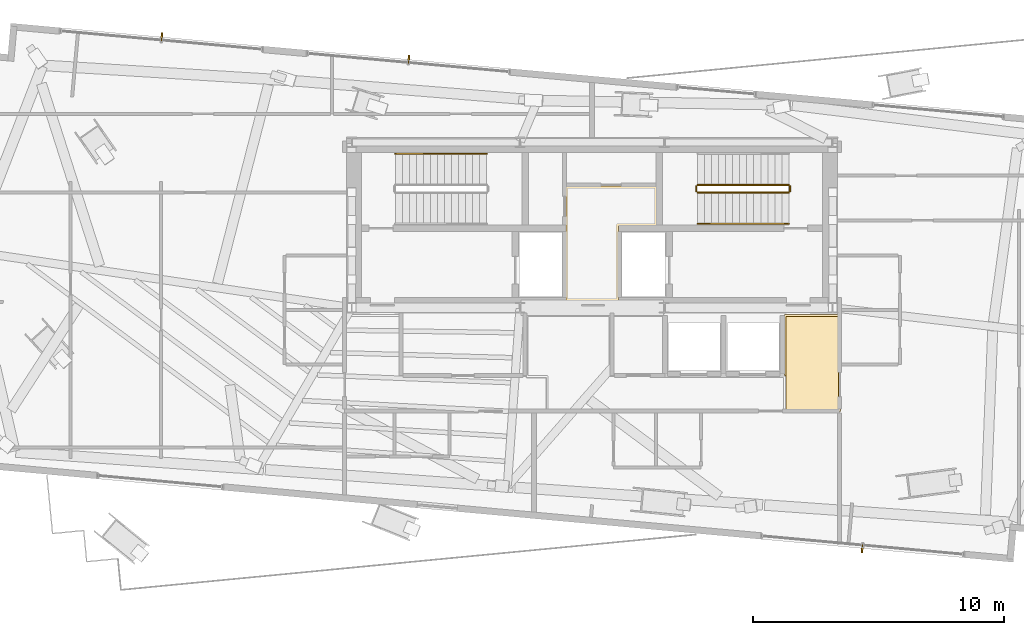
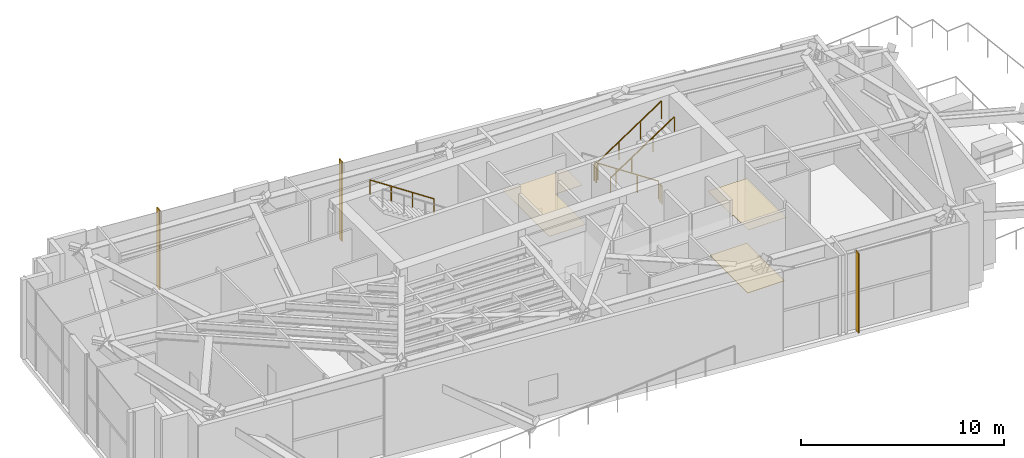
# One storey, part 18 of 20: 6 railings, 3 coverings, 3 shading devices.
"""IFC4 building model written with IfcOpenShell, lengths in metres."""

from ifc_helpers import new_model, si_unit, direction, frame, origin, origin_2d, place, context, subcontext, project, spatial, polyline, rectangle, outline, extrude, source, transform, mapped, material, layer, layer_set, type_object, type_shapes, element, save


model = new_model("IFC4")

# Units and contexts
model_context = context("Model", 3, precision=1e-05, world=origin(), true_north=direction((0.0, 1.0)))
body_context = subcontext(model_context, "Body", "Model", "MODEL_VIEW")
ifc_project = project(units=[si_unit("LENGTHUNIT", "METRE"), si_unit("AREAUNIT", "SQUARE_METRE"), si_unit("VOLUMEUNIT", "CUBIC_METRE"), si_unit("PLANEANGLEUNIT", "RADIAN"), si_unit("MASSUNIT", "GRAM", prefix="KILO")], contexts=[model_context])

# Site, building, storey
site_placement = place(None, origin())
site = spatial("IfcSite", under=ifc_project, at=site_placement, CompositionType="ELEMENT")
building_placement = place(site_placement, origin())
building = spatial("IfcBuilding", under=site, at=building_placement, Name="Astriad Promenade Condominiums", CompositionType="ELEMENT")
storey_placement = place(building_placement, frame((0.0, 0.0, 211.39990234375)))
storey = spatial("IfcBuildingStorey", under=building, at=storey_placement, Name="L61", CompositionType="ELEMENT", Elevation=211.39990234375)

# Coverings
ifc_material_1 = material(Name="Mineral-Fibre Acoustic Ceiling Tile")
ifc_layer_1 = layer(ifc_material_1, 0.02490234375)
ifc_layer_set_1 = layer_set([ifc_layer_1], Name="Mineral-Fibre Acoustic Ceiling Tile")
covering_type_1 = type_object("IfcCoveringType", Name="COV-CEIL-ACOUSTIC-25", PredefinedType="CEILING", material=ifc_layer_set_1)
covering_1_placement = place(storey_placement, frame((0.0, 0.0, 3.835205078125)))
element("IfcCovering", 1, at=covering_1_placement, inside=storey, type_object=covering_type_1, Name="CEIL-L61-CSL", PredefinedType="CEILING", context=body_context, shape_type="SweptSolid", body=[
    extrude(outline(polyline([(37.050048828125, 17.699951171875), (37.0498046875, 17.697021484375), (37.04931640625, 17.694091796875), (37.048583984375, 17.69140625), (37.047607421875, 17.6884765625), (37.04638671875, 17.685791015625), (37.044921875, 17.683349609375), (37.043212890625, 17.680908203125), (37.041259765625, 17.6787109375), (37.0390625, 17.6767578125), (37.03662109375, 17.675048828125), (37.0341796875, 17.673583984375), (37.031494140625, 17.67236328125), (37.02880859375, 17.67138671875), (37.02587890625, 17.670654296875), (37.02294921875, 17.670166015625), (37.02001953125, 17.669921875), (34.97998046875, 17.669921875), (34.97705078125, 17.670166015625), (34.97412109375, 17.670654296875), (34.97119140625, 17.67138671875), (34.968505859375, 17.67236328125), (34.9658203125, 17.673583984375), (34.96337890625, 17.675048828125), (34.9609375, 17.6767578125), (34.958740234375, 17.6787109375), (34.956787109375, 17.680908203125), (34.955078125, 17.683349609375), (34.95361328125, 17.685791015625), (34.952392578125, 17.6884765625), (34.951416015625, 17.69140625), (34.95068359375, 17.694091796875), (34.9501953125, 17.697021484375), (34.949951171875, 17.699951171875), (34.949951171875, 22.219970703125), (34.9501953125, 22.222900390625), (34.95068359375, 22.225830078125), (34.951416015625, 22.228759765625), (34.952392578125, 22.2314453125), (34.95361328125, 22.234130859375), (34.955078125, 22.23681640625), (34.956787109375, 22.239013671875), (34.958740234375, 22.2412109375), (34.9609375, 22.2431640625), (34.96337890625, 22.244873046875), (34.9658203125, 22.24658203125), (34.968505859375, 22.247802734375), (34.97119140625, 22.248779296875), (34.97412109375, 22.24951171875), (34.97705078125, 22.25), (34.97998046875, 22.25), (38.5400390625, 22.25), (38.54296875, 22.25), (38.5458984375, 22.24951171875), (38.548583984375, 22.248779296875), (38.551513671875, 22.247802734375), (38.55419921875, 22.24658203125), (38.556640625, 22.244873046875), (38.55908203125, 22.2431640625), (38.561279296875, 22.2412109375), (38.563232421875, 22.239013671875), (38.56494140625, 22.23681640625), (38.56640625, 22.234130859375), (38.567626953125, 22.2314453125), (38.568603515625, 22.228759765625), (38.5693359375, 22.225830078125), (38.56982421875, 22.222900390625), (38.570068359375, 22.219970703125), (38.570068359375, 20.699951171875), (38.56982421875, 20.697021484375), (38.5693359375, 20.694091796875), (38.568603515625, 20.69140625), (38.567626953125, 20.6884765625), (38.56640625, 20.685791015625), (38.56494140625, 20.683349609375), (38.563232421875, 20.680908203125), (38.561279296875, 20.6787109375), (38.55908203125, 20.6767578125), (38.556640625, 20.675048828125), (38.55419921875, 20.673583984375), (38.551513671875, 20.67236328125), (38.548583984375, 20.67138671875), (38.5458984375, 20.670654296875), (38.54296875, 20.670166015625), (38.5400390625, 20.669921875), (37.050048828125, 20.669921875), (37.050048828125, 17.699951171875)])), origin(), (0.0, 0.0, 1.0), 0.02490234375),
])
covering_2_placement = place(storey_placement, frame((0.0, 0.0, 3.835205078125)))
element("IfcCovering", 2, at=covering_2_placement, inside=storey, type_object=covering_type_1, Name="CEIL-L61-COR-1", PredefinedType="CEILING", context=body_context, shape_type="SweptSolid", body=[
    extrude(outline(polyline([(43.669921875, 17.10009765625), (43.670166015625, 17.102783203125), (43.670654296875, 17.10595703125), (43.67138671875, 17.108642578125), (43.67236328125, 17.111572265625), (43.673583984375, 17.114013671875), (43.675048828125, 17.11669921875), (43.6767578125, 17.118896484375), (43.6787109375, 17.12109375), (43.680908203125, 17.123291015625), (43.683349609375, 17.125), (43.685791015625, 17.12646484375), (43.6884765625, 17.127685546875), (43.69140625, 17.128662109375), (43.694091796875, 17.12939453125), (43.697021484375, 17.1298828125), (43.699951171875, 17.1298828125), (45.330322265625, 17.1298828125), (45.330322265625, 17.122314453125), (45.86962890625, 17.122314453125), (45.86962890625, 17.1298828125), (45.8798828125, 17.1298828125), (45.8828125, 17.1298828125), (45.885986328125, 17.12939453125), (45.888671875, 17.128662109375), (45.8916015625, 17.127685546875), (45.89404296875, 17.12646484375), (45.896728515625, 17.125), (45.89892578125, 17.123291015625), (45.901123046875, 17.12109375), (45.9033203125, 17.118896484375), (45.90478515625, 17.11669921875), (45.906494140625, 17.114013671875), (45.90771484375, 17.111572265625), (45.90869140625, 17.108642578125), (45.909423828125, 17.10595703125), (45.909912109375, 17.102783203125), (45.909912109375, 17.10009765625), (45.909912109375, 13.280029296875), (45.909912109375, 13.277099609375), (45.909423828125, 13.274169921875), (45.90869140625, 13.271240234375), (45.90771484375, 13.2685546875), (45.906494140625, 13.265869140625), (45.90478515625, 13.26318359375), (45.9033203125, 13.260986328125), (45.901123046875, 13.2587890625), (45.89892578125, 13.2568359375), (45.896728515625, 13.255126953125), (45.89404296875, 13.25341796875), (45.8916015625, 13.252197265625), (45.888671875, 13.251220703125), (45.885986328125, 13.25048828125), (45.8828125, 13.25), (45.8798828125, 13.25), (43.719970703125, 13.25), (43.720947265625, 13.25146484375), (43.72216796875, 13.253173828125), (43.7236328125, 13.255615234375), (43.724609375, 13.25732421875), (43.725830078125, 13.260009765625), (43.7265625, 13.26171875), (43.7275390625, 13.2646484375), (43.72802734375, 13.266357421875), (43.728759765625, 13.269287109375), (43.729248046875, 13.271240234375), (43.7294921875, 13.274169921875), (43.729736328125, 13.276123046875), (43.72998046875, 13.279052734375), (43.72998046875, 13.280029296875), (43.72998046875, 14.64990234375), (43.72998046875, 14.65087890625), (43.729736328125, 14.65380859375), (43.7294921875, 14.656005859375), (43.729248046875, 14.65869140625), (43.728759765625, 14.66064453125), (43.72802734375, 14.66357421875), (43.7275390625, 14.665283203125), (43.7265625, 14.668212890625), (43.725830078125, 14.669921875), (43.724609375, 14.672607421875), (43.7236328125, 14.67431640625), (43.72216796875, 14.677001953125), (43.720947265625, 14.6787109375), (43.71923828125, 14.680908203125), (43.718017578125, 14.6826171875), (43.716064453125, 14.6845703125), (43.714599609375, 14.68603515625), (43.71240234375, 14.68798828125), (43.7109375, 14.689208984375), (43.70849609375, 14.69091796875), (43.706787109375, 14.692138671875), (43.704345703125, 14.693603515625), (43.70263671875, 14.694580078125), (43.699951171875, 14.69580078125), (43.6982421875, 14.696533203125), (43.6953125, 14.697509765625), (43.693603515625, 14.697998046875), (43.690673828125, 14.69873046875), (43.688720703125, 14.69921875), (43.685791015625, 14.69970703125), (43.683837890625, 14.69970703125), (43.680908203125, 14.699951171875), (43.679931640625, 14.699951171875), (43.669921875, 14.699951171875), (43.669921875, 17.10009765625)])), origin(), (0.0, 0.0, 1.0), 0.02490234375),
])
ifc_material_2 = material(Name="Polished Lakefront Terrazzo Flooring")
ifc_layer_2 = layer(ifc_material_2, 0.02001953125)
ifc_layer_set_2 = layer_set([ifc_layer_2], Name="Polished Lakefront Terrazzo Flooring")
covering_type_2 = type_object("IfcCoveringType", Name="COV-FLOR-TERRAZZO-20", PredefinedType="FLOORING", material=ifc_layer_set_2)
covering_3_placement = place(storey_placement, origin())
element("IfcCovering", 3, at=covering_3_placement, inside=storey, type_object=covering_type_2, Name="FLR-L61-COR-1", PredefinedType="FLOORING", context=body_context, shape_type="SweptSolid", body=[
    extrude(outline(polyline([(43.72998046875, 13.320068359375), (43.72998046875, 14.62353515625), (43.73095703125, 14.62451171875), (43.7333984375, 14.627685546875), (43.7353515625, 14.631103515625), (43.737060546875, 14.634765625), (43.73828125, 14.638427734375), (43.7392578125, 14.64208984375), (43.73974609375, 14.64599609375), (43.739990234375, 14.64990234375), (43.739990234375, 17.06005859375), (45.840087890625, 17.06005859375), (45.840087890625, 13.320068359375), (43.72998046875, 13.320068359375)])), origin(), (0.0, 0.0, 1.0), 0.02001953125),
])

# Shading devices
ifc_material_3 = material(Name="Anodised aluminium 6063-T6 Black Fin", Category="aluminium")
shading_device_type = type_object("IfcShadingDeviceType", Name="FIN-BLACK-260", PredefinedType="USERDEFINED", material=ifc_material_3)
shared_shape_1 = source(origin(), body_context, "Body", "SweptSolid", [
    extrude(rectangle(XDim=0.06494140625, YDim=0.320068359375, at=origin_2d()), origin(), (0.0, 0.0, 1.0), 4.780029296875),
])
type_shapes(shading_device_type, [shared_shape_1])
for number, where, z_axis, x_axis, name in (
    (4, (18.818603515625, 28.21923828125, 0.0), (0.0, 0.0, 1.0), (0.995884398616, -0.090632580198, 0.0), "CW-L61-N-1-FIN-01"),
    (5, (28.677978515625, 27.322021484375, 0.0), (0.0, 0.0, 1.0), (0.995884398616, -0.090632580198, 0.0), "CW-L61-N-2-FIN-01"),
    (6, (46.781494140625, 7.781005859375, 0.0), (0.0, 0.0, 1.0), (-0.995884398616, 0.090632580198, 0.0), "CW-L61-S-1-FIN-01"),
):
    element("IfcShadingDevice", number, at=place(storey_placement, frame(where, z_axis=z_axis, x_axis=x_axis)), inside=storey, type_object=shading_device_type, Name=name, ObjectType="FIN", PredefinedType="USERDEFINED", context=body_context, shape_type="MappedRepresentation", body=[
        mapped(shared_shape_1, transform((0.0, 0.0, 0.0), scale=1.0)),
    ])

# Railings
ifc_material_4 = material(Name="Painted Galvanised Steel Guardrail", Category="steel")
railing_type_1 = type_object("IfcRailingType", Name="GRD-STAIR-1100", PredefinedType="GUARDRAIL", material=ifc_material_4)
shared_shape_2 = source(origin(), body_context, "Body", "SweptSolid", [
    extrude(rectangle(XDim=0.048095703125, YDim=0.048095703125, at=origin_2d()), frame((0.0, 0.0, 1.076171875), z_axis=(0.833363587613, 0.0, 0.552725185641), x_axis=(0.0, 1.0, 0.0)), (0.0, 0.0, 1.0), 4.367919921875),
    extrude(rectangle(XDim=0.0419921875, YDim=0.0419921875, at=origin_2d()), origin(), (0.0, 0.0, 1.0), 1.052001953125),
    extrude(rectangle(XDim=0.0419921875, YDim=0.0419921875, at=origin_2d()), frame((1.21337890625, 0.0, 0.8046875)), (0.0, 0.0, 1.0), 1.052001953125),
    extrude(rectangle(XDim=0.0419921875, YDim=0.0419921875, at=origin_2d()), frame((2.4267578125, 0.0, 1.609619140625)), (0.0, 0.0, 1.0), 1.052001953125),
    extrude(rectangle(XDim=0.0419921875, YDim=0.0419921875, at=origin_2d()), frame((3.64013671875, 0.0, 2.414306640625)), (0.0, 0.0, 1.0), 1.052001953125),
])
railing_1_placement = place(storey_placement, frame((40.2099609375, 22.0, 2.785888671875)))
element("IfcRailing", 7, at=railing_1_placement, inside=storey, type_object=railing_type_1, Name="L61 ST-2 stair guard 3", PredefinedType="GUARDRAIL", context=body_context, shape_type="MappedRepresentation", body=[
    mapped(shared_shape_2, transform((0.0, 0.0, 0.0), scale=1.0)),
])
shared_shape_3 = source(origin(), body_context, "Body", "SweptSolid", [
    extrude(rectangle(XDim=0.048095703125, YDim=0.048095703125, at=origin_2d()), frame((0.0, 0.0, 1.076171875), z_axis=(-0.833363587613, 0.0, 0.552725185641), x_axis=(0.0, -1.0, 0.0)), (0.0, 0.0, 1.0), 4.367919921875),
    extrude(rectangle(XDim=0.0419921875, YDim=0.0419921875, at=origin_2d()), origin(), (0.0, 0.0, 1.0), 1.052001953125),
    extrude(rectangle(XDim=0.0419921875, YDim=0.0419921875, at=origin_2d()), frame((-1.21337890625, 0.0, 0.8046875)), (0.0, 0.0, 1.0), 1.052001953125),
    extrude(rectangle(XDim=0.0419921875, YDim=0.0419921875, at=origin_2d()), frame((-2.4267578125, 0.0, 1.609619140625)), (0.0, 0.0, 1.0), 1.052001953125),
    extrude(rectangle(XDim=0.0419921875, YDim=0.0419921875, at=origin_2d()), frame((-3.64013671875, 0.0, 2.414306640625)), (0.0, 0.0, 1.0), 1.052001953125),
])
railing_2_placement = place(storey_placement, frame((43.85009765625, 22.300048828125, 0.185791015625)))
element("IfcRailing", 8, at=railing_2_placement, inside=storey, type_object=railing_type_1, Name="L61 ST-2 stair guard 1", PredefinedType="GUARDRAIL", context=body_context, shape_type="MappedRepresentation", body=[
    mapped(shared_shape_3, transform((0.0, 0.0, 0.0), scale=1.0)),
])
ifc_material_5 = material(Name="Brushed Stainless Steel Handrail", Category="steel")
railing_type_2 = type_object("IfcRailingType", Name="HRL-STAIR-920", PredefinedType="HANDRAIL", material=ifc_material_5)
shared_shape_4 = source(origin(), body_context, "Body", "SweptSolid", [
    extrude(rectangle(XDim=0.048095703125, YDim=0.048095703125, at=origin_2d()), frame((0.0, 0.0, 0.8759765625), z_axis=(0.833363587613, 0.0, 0.552725185641), x_axis=(0.0, 1.0, 0.0)), (0.0, 0.0, 1.0), 4.367919921875),
    extrude(rectangle(XDim=0.0419921875, YDim=0.0419921875, at=origin_2d()), origin(), (0.0, 0.0, 1.0), 0.851806640625),
    extrude(rectangle(XDim=0.0419921875, YDim=0.0419921875, at=origin_2d()), frame((1.21337890625, 0.0, 0.8046875)), (0.0, 0.0, 1.0), 0.851806640625),
    extrude(rectangle(XDim=0.0419921875, YDim=0.0419921875, at=origin_2d()), frame((2.4267578125, 0.0, 1.609619140625)), (0.0, 0.0, 1.0), 0.851806640625),
    extrude(rectangle(XDim=0.0419921875, YDim=0.0419921875, at=origin_2d()), frame((3.64013671875, 0.0, 2.414306640625)), (0.0, 0.0, 1.0), 0.851806640625),
])
railing_3_placement = place(storey_placement, frame((40.2099609375, 20.75, 2.785888671875)))
element("IfcRailing", 9, at=railing_3_placement, inside=storey, type_object=railing_type_2, Name="L61 ST-2 stair handrail 2", PredefinedType="HANDRAIL", context=body_context, shape_type="MappedRepresentation", body=[
    mapped(shared_shape_4, transform((0.0, 0.0, 0.0), scale=1.0)),
])
shared_shape_5 = source(origin(), body_context, "Body", "SweptSolid", [
    extrude(rectangle(XDim=0.048095703125, YDim=0.048095703125, at=origin_2d()), frame((0.0, 0.0, 0.8759765625), z_axis=(-0.833363587613, 0.0, 0.552725185641), x_axis=(0.0, -1.0, 0.0)), (0.0, 0.0, 1.0), 4.367919921875),
    extrude(rectangle(XDim=0.0419921875, YDim=0.0419921875, at=origin_2d()), origin(), (0.0, 0.0, 1.0), 0.851806640625),
    extrude(rectangle(XDim=0.0419921875, YDim=0.0419921875, at=origin_2d()), frame((-1.21337890625, 0.0, 0.8046875)), (0.0, 0.0, 1.0), 0.851806640625),
    extrude(rectangle(XDim=0.0419921875, YDim=0.0419921875, at=origin_2d()), frame((-2.4267578125, 0.0, 1.609619140625)), (0.0, 0.0, 1.0), 0.851806640625),
    extrude(rectangle(XDim=0.0419921875, YDim=0.0419921875, at=origin_2d()), frame((-3.64013671875, 0.0, 2.414306640625)), (0.0, 0.0, 1.0), 0.851806640625),
])
type_shapes(railing_type_2, [shared_shape_4, shared_shape_5])
railing_4_placement = place(storey_placement, frame((31.7900390625, 23.550048828125, 2.785888671875)))
element("IfcRailing", 10, at=railing_4_placement, inside=storey, type_object=railing_type_2, Name="L61 ST-1 stair handrail 2", PredefinedType="HANDRAIL", context=body_context, shape_type="MappedRepresentation", body=[
    mapped(shared_shape_5, transform((0.0, 0.0, 0.0), scale=1.0)),
])
shared_shape_6 = source(origin(), body_context, "Body", "SweptSolid", [
    extrude(rectangle(XDim=0.048095703125, YDim=0.048095703125, at=origin_2d()), frame((0.0, 0.0, 1.076171875), z_axis=(0.0, -1.0, 0.0), x_axis=(1.0, 0.0, 0.0)), (0.0, 0.0, 1.0), 0.199951171875),
    extrude(rectangle(XDim=0.0419921875, YDim=0.0419921875, at=origin_2d()), origin(), (0.0, 0.0, 1.0), 1.052001953125),
    extrude(rectangle(XDim=0.0419921875, YDim=0.0419921875, at=origin_2d()), frame((0.0, -0.199951171875, 0.0)), (0.0, 0.0, 1.0), 1.052001953125),
])
type_shapes(railing_type_1, [shared_shape_2, shared_shape_3, shared_shape_6])
for number, where, name in (
    (11, (40.159912109375, 22.25, 2.60009765625), "L61 ST-2 stair guard 2"),
    (12, (43.89990234375, 22.25, 0.0), "L61 ST-2 stair guard 4"),
):
    element("IfcRailing", number, at=place(storey_placement, frame(where)), inside=storey, type_object=railing_type_1, Name=name, PredefinedType="GUARDRAIL", context=body_context, shape_type="MappedRepresentation", body=[
        mapped(shared_shape_6, transform((0.0, 0.0, 0.0), scale=1.0)),
    ])

save(model, "model.ifc")
